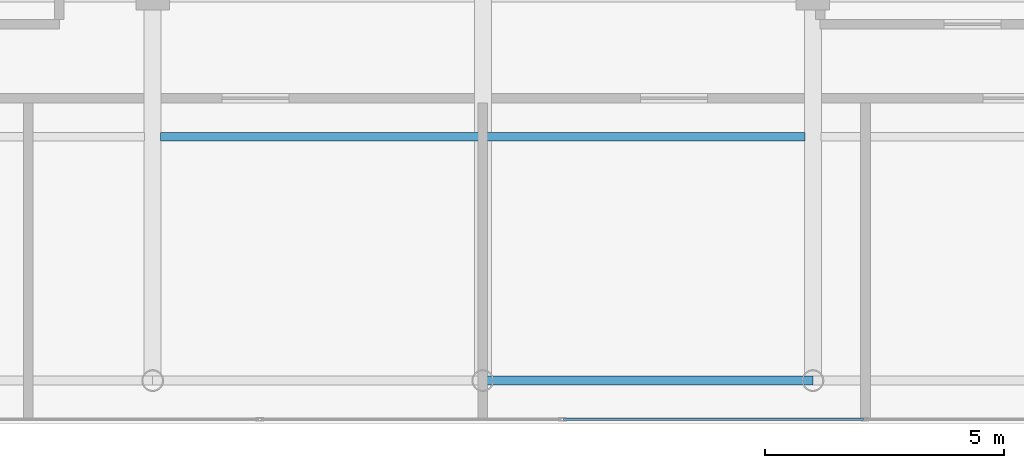
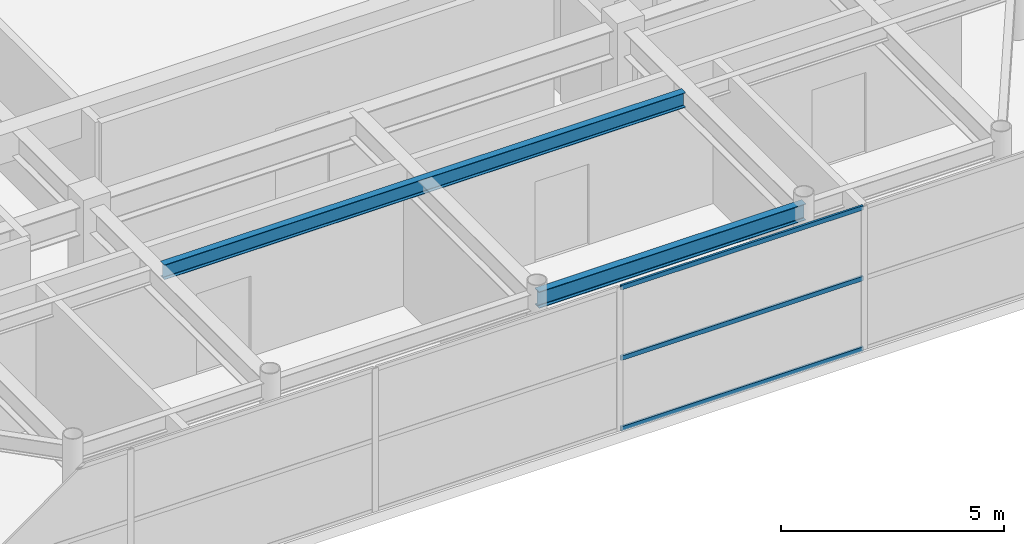
# One storey, part 8 of 32: 3 members, 2 beams, 1 element without a shape of its own.
"""IFC4 building model written with IfcOpenShell, lengths in metres."""

from ifc_helpers import new_model, si_unit, direction, frame, origin, origin_2d, place, context, subcontext, project, spatial, hollow_rectangle, i_section, extrude, source, transform, mapped, material, layer, layer_set, material_profile, profile_set, type_object, element, aggregate, save


model = new_model("IFC4")

# Units and contexts
model_context = context("Model", 3, precision=1e-05, world=origin(), true_north=direction((0.0, 1.0)))
body_context = subcontext(model_context, "Body", "Model", "MODEL_VIEW")
ifc_project = project(units=[si_unit("LENGTHUNIT", "METRE"), si_unit("AREAUNIT", "SQUARE_METRE"), si_unit("VOLUMEUNIT", "CUBIC_METRE"), si_unit("PLANEANGLEUNIT", "RADIAN"), si_unit("MASSUNIT", "GRAM", prefix="KILO")], contexts=[model_context])

# Site, building, storey
site_placement = place(None, origin())
site = spatial("IfcSite", under=ifc_project, at=site_placement, CompositionType="ELEMENT")
building_placement = place(site_placement, origin())
building = spatial("IfcBuilding", under=site, at=building_placement, Name="Khoralis Quay Care Tower", CompositionType="ELEMENT")
storey_placement = place(building_placement, frame((0.0, 0.0, 310.5)))
storey = spatial("IfcBuildingStorey", under=building, at=storey_placement, Name="L81", CompositionType="ELEMENT", Elevation=310.5)

# Beams
ifc_material_1 = material(Name="Steel S355", Category="steel")
ifc_material_profile_1 = material_profile(ifc_material_1, i_section(OverallWidth=0.18994140625, OverallDepth=0.449951171875, WebThickness=0.009521484375, FlangeThickness=0.0146484375, FilletRadius=0.02099609375, at=origin_2d()), Name="Steel S355")
ifc_profile_set_1 = profile_set([ifc_material_profile_1], Name="Steel S355")
beam_type_1 = type_object("IfcBeamType", Name="BM-IPE450", PredefinedType="SPANDREL", material=ifc_profile_set_1)
shared_shape_1 = source(origin(), body_context, "Body", "SweptSolid", [
    extrude(i_section(OverallWidth=0.18994140625, OverallDepth=0.449951171875, WebThickness=0.009521484375, FlangeThickness=0.0146484375, FilletRadius=0.02099609375, at=origin_2d()), origin(), (0.0, 0.0, 1.0), 6.89990234375),
])
beam_1_placement = place(storey_placement, frame((24.0, 3.89990234375, 3.695068359375), z_axis=(1.0, 0.0, 0.0), x_axis=(0.0, 1.0, 0.0)))
element("IfcBeam", 1, at=beam_1_placement, inside=storey, type_object=beam_type_1, Name="BM-TSP-L81-03", PredefinedType="SPANDREL", context=body_context, shape_type="MappedRepresentation", body=[
    mapped(shared_shape_1, transform((0.0, 0.0, 0.0), scale=1.0)),
])
ifc_material_profile_2 = material_profile(ifc_material_1, i_section(OverallWidth=0.177978515625, OverallDepth=0.406982421875, WebThickness=0.0078125, FlangeThickness=0.0126953125, FilletRadius=0.012939453125, at=origin_2d()), Name="Steel S355")
ifc_profile_set_2 = profile_set([ifc_material_profile_2], Name="Steel S355")
beam_type_2 = type_object("IfcBeamType", Name="BM-W410X60", PredefinedType="JOIST", material=ifc_profile_set_2)
shared_shape_2 = source(origin(), body_context, "Body", "SweptSolid", [
    extrude(i_section(OverallWidth=0.177978515625, OverallDepth=0.406982421875, WebThickness=0.0078125, FlangeThickness=0.0126953125, FilletRadius=0.012939453125, at=origin_2d()), origin(), (0.0, 0.0, 1.0), 13.46923828125),
])
beam_2_placement = place(storey_placement, frame((17.265380859375, 9.0, 3.716552734375), z_axis=(1.0, 0.0, 0.0), x_axis=(0.0, 1.0, 0.0)))
element("IfcBeam", 2, at=beam_2_placement, inside=storey, type_object=beam_type_2, Name="BM-TJS-L81-23", PredefinedType="JOIST", context=body_context, shape_type="MappedRepresentation", body=[
    mapped(shared_shape_2, transform((0.0, 0.0, 0.0), scale=1.0)),
])

# Curtain wall, members
ifc_material_2 = material(Name="Pale anodised aluminium", Category="aluminium")
ifc_layer = layer(ifc_material_2, 0.199951171875)
ifc_layer_set = layer_set([ifc_layer], Name="Pale anodised aluminium")
curtain_wall_type = type_object("IfcCurtainWallType", Name="CW-SYS-LANTERN", PredefinedType="NOTDEFINED", material=ifc_layer_set)
curtain_wall_placement = place(storey_placement, origin())
curtain_wall = element("IfcCurtainWall", 3, at=curtain_wall_placement, inside=storey, type_object=curtain_wall_type, Name="L81 Unitised Curtain Wall CW-LN-L81-01", PredefinedType="NOTDEFINED")
ifc_material_profile_3 = material_profile(ifc_material_2, hollow_rectangle(XDim=0.054931640625, YDim=0.1201171875, WallThickness=0.00390625, at=origin_2d()), Name="Pale anodised aluminium")
ifc_profile_set_3 = profile_set([ifc_material_profile_3], Name="Pale anodised aluminium")
member_type = type_object("IfcMemberType", Name="CW-TRN-120", PredefinedType="USERDEFINED", material=ifc_profile_set_3)
shared_shape_3 = source(origin(), body_context, "Body", "SweptSolid", [
    extrude(hollow_rectangle(XDim=0.054931640625, YDim=0.1201171875, WallThickness=0.00390625, at=origin_2d()), origin(), (0.0, 0.0, 1.0), 6.26416015625),
])
member_1_placement = place(storey_placement, frame((25.69189453125, 3.090087890625, 0.030029296875), z_axis=(1.0, 0.0, 0.0), x_axis=(0.0, 1.0, 0.0)))
member_1 = element("IfcMember", 4, at=member_1_placement, type_object=member_type, Name="CW5 transom 4.1", ObjectType="TRANSOM", PredefinedType="USERDEFINED", context=body_context, shape_type="MappedRepresentation", body=[
    mapped(shared_shape_3, transform((0.0, 0.0, 0.0), scale=1.0)),
])
member_2_placement = place(storey_placement, frame((25.69189453125, 3.090087890625, 1.9599609375), z_axis=(1.0, 0.0, 0.0), x_axis=(0.0, 1.0, 0.0)))
member_2 = element("IfcMember", 5, at=member_2_placement, type_object=member_type, Name="CW5 transom 4.2", ObjectType="TRANSOM", PredefinedType="USERDEFINED", context=body_context, shape_type="MappedRepresentation", body=[
    mapped(shared_shape_3, transform((0.0, 0.0, 0.0), scale=1.0)),
])
member_3_placement = place(storey_placement, frame((25.69189453125, 3.090087890625, 3.889892578125), z_axis=(1.0, 0.0, 0.0), x_axis=(0.0, 1.0, 0.0)))
member_3 = element("IfcMember", 6, at=member_3_placement, type_object=member_type, Name="CW5 transom 4.3", ObjectType="TRANSOM", PredefinedType="USERDEFINED", context=body_context, shape_type="MappedRepresentation", body=[
    mapped(shared_shape_3, transform((0.0, 0.0, 0.0), scale=1.0)),
])
aggregate(curtain_wall, [member_1, member_2, member_3])

save(model, "model.ifc")
